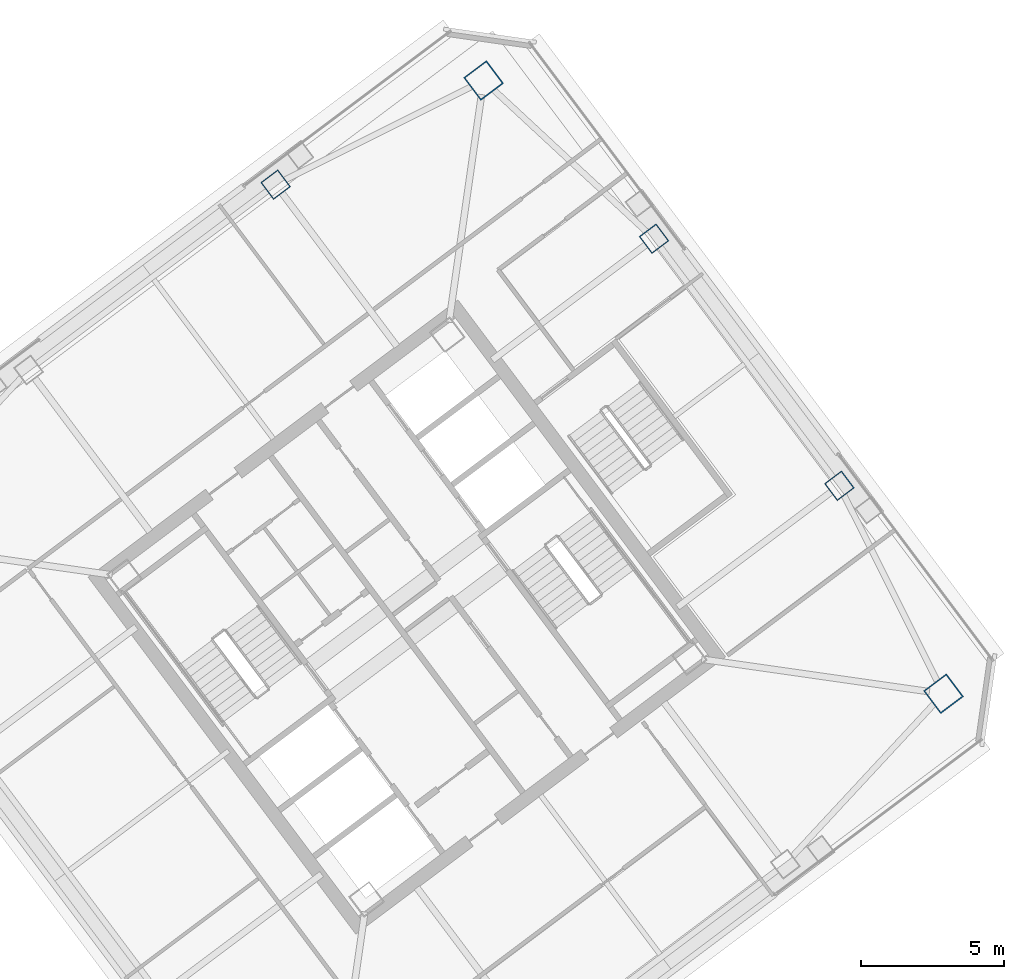
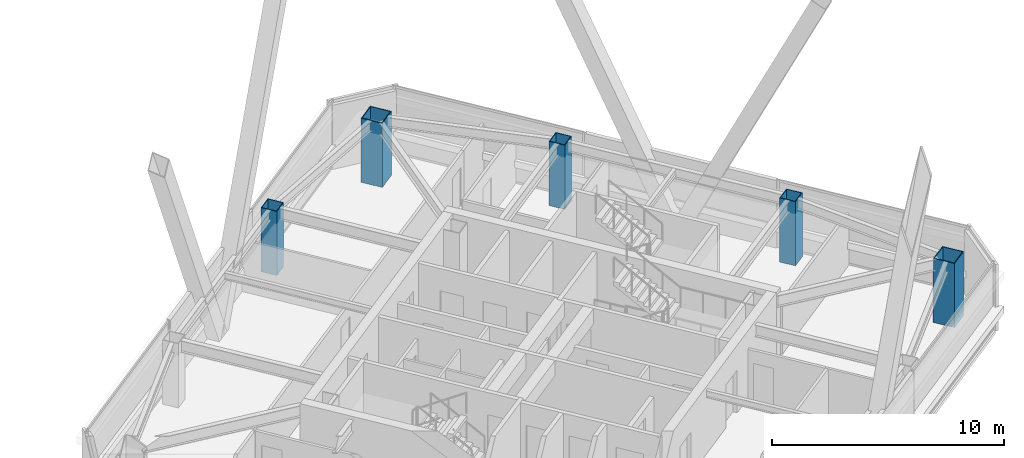
# One storey, part 2 of 47: 5 columns.
"""IFC4 building model written with IfcOpenShell, lengths in metres."""

from ifc_helpers import new_model, si_unit, direction, frame, origin, origin_2d, place, context, subcontext, project, spatial, hollow_rectangle, extrude, material, material_profile, profile_set, type_object, element, save


model = new_model("IFC4")

# Units and contexts
model_context = context("Model", 3, precision=1e-05, world=origin(), true_north=direction((0.0, 1.0)))
body_context = subcontext(model_context, "Body", "Model", "MODEL_VIEW")
ifc_project = project(units=[si_unit("LENGTHUNIT", "METRE"), si_unit("AREAUNIT", "SQUARE_METRE"), si_unit("VOLUMEUNIT", "CUBIC_METRE"), si_unit("PLANEANGLEUNIT", "RADIAN"), si_unit("MASSUNIT", "GRAM", prefix="KILO")], contexts=[model_context])

# Site, building, storey
site_placement = place(None, origin())
site = spatial("IfcSite", under=ifc_project, at=site_placement, CompositionType="ELEMENT")
building_placement = place(site_placement, origin())
building = spatial("IfcBuilding", under=site, at=building_placement, Name="Tashvorn Skyway Center", CompositionType="ELEMENT")
storey_placement = place(building_placement, frame((0.0, 0.0, 204.199951171875)))
storey = spatial("IfcBuildingStorey", under=building, at=storey_placement, Name="L55", CompositionType="ELEMENT", Elevation=204.199951171875)

# Columns
ifc_material = material(Name="Steel ASTM A572 Grade 50", Category="steel")
ifc_material_profile_1 = material_profile(ifc_material, hollow_rectangle(XDim=1.0, YDim=1.0, WallThickness=0.0400390625, at=origin_2d()), Name="BOX1000x1000x40")
ifc_profile_set_1 = profile_set([ifc_material_profile_1], Name="Steel ASTM A572 Grade 50")
column_type_1 = type_object("IfcColumnType", Name="COL-BOX1000x1000x40", PredefinedType="COLUMN", material=ifc_profile_set_1)
for number, where, z_axis, x_axis, name in (
    (1, (132.760009765625, 29.320068359375, 0.0), (0.0, 0.0, 1.0), (0.799999996291, 0.600000004945, 0.0), "Tower 2 L55 Mega-Column MC-SE"),
    (2, (116.679931640625, 50.760009765625, 0.0), (0.0, 0.0, 1.0), (0.799999996291, 0.600000004945, 0.0), "Tower 2 L55 Mega-Column MC-NE"),
):
    element("IfcColumn", number, at=place(storey_placement, frame(where, z_axis=z_axis, x_axis=x_axis)), inside=storey, type_object=column_type_1, Name=name, PredefinedType="COLUMN", context=body_context, shape_type="SweptSolid", body=[
        extrude(hollow_rectangle(XDim=1.0, YDim=1.0, WallThickness=0.0400390625, at=origin_2d()), origin(), (0.0, 0.0, 1.0), 3.3701171875),
    ])
ifc_material_profile_2 = material_profile(ifc_material, hollow_rectangle(XDim=0.75, YDim=0.75, WallThickness=0.031982421875, at=origin_2d()), Name="BOX750x750x32")
ifc_profile_set_2 = profile_set([ifc_material_profile_2], Name="Steel ASTM A572 Grade 50")
column_type_2 = type_object("IfcColumnType", Name="COL-BOX750x750x32", PredefinedType="COLUMN", material=ifc_profile_set_2)
for number, where, z_axis, x_axis, name in (
    (3, (129.1201171875, 36.590087890625, 0.0), (0.0, 0.0, 1.0), (0.799999996291, 0.600000004945, 0.0), "Tower 2 L55 Perimeter Column FC-E1"),
    (4, (122.639892578125, 45.22998046875, 0.0), (0.0, 0.0, 1.0), (0.799999996291, 0.600000004945, 0.0), "Tower 2 L55 Perimeter Column FC-E2"),
    (5, (109.409912109375, 47.1201171875, 0.0), (0.0, 0.0, 1.0), (0.799999996291, 0.600000004945, 0.0), "Tower 2 L55 Perimeter Column FC-N1"),
):
    element("IfcColumn", number, at=place(storey_placement, frame(where, z_axis=z_axis, x_axis=x_axis)), inside=storey, type_object=column_type_2, Name=name, PredefinedType="COLUMN", context=body_context, shape_type="SweptSolid", body=[
        extrude(hollow_rectangle(XDim=0.75, YDim=0.75, WallThickness=0.031982421875, at=origin_2d()), origin(), (0.0, 0.0, 1.0), 3.3701171875),
    ])

save(model, "model.ifc")
